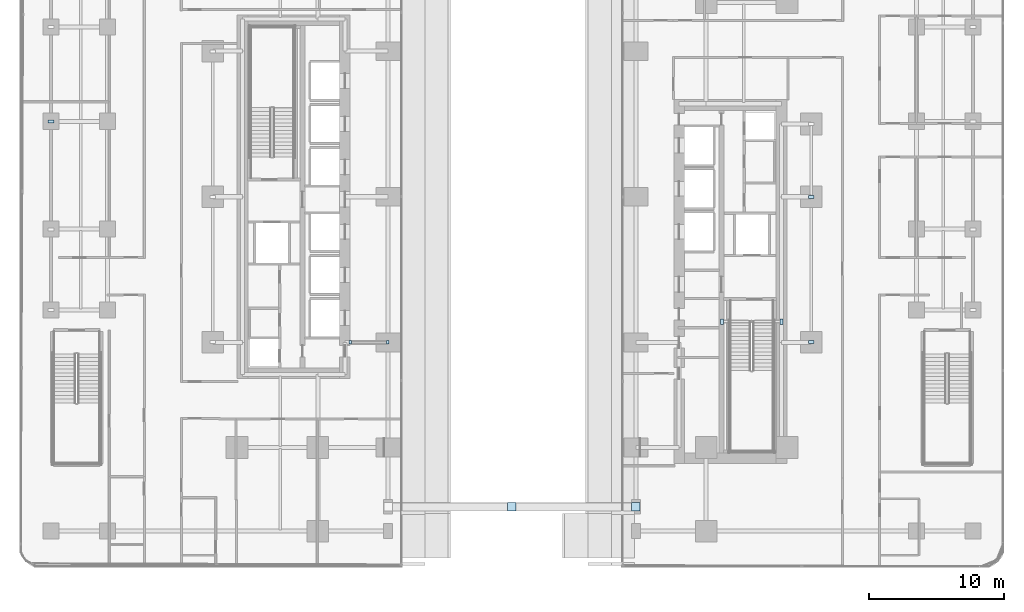
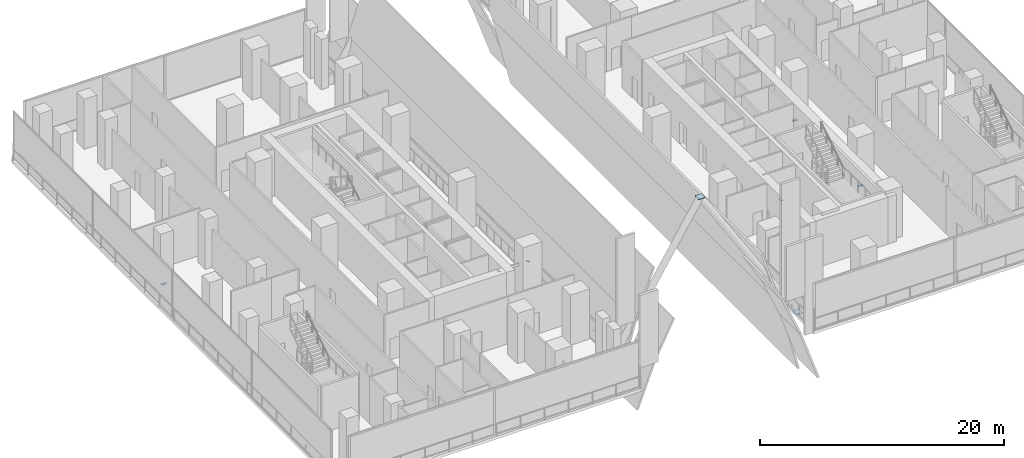
# One storey, part 4 of 31: 9 plates.
"""IFC4 building model written with IfcOpenShell, lengths in metres."""

from ifc_helpers import new_model, si_unit, direction, frame, origin, origin_2d, place, context, subcontext, project, spatial, rectangle, extrude, material, layer, layer_set, type_object, element, save


model = new_model("IFC4")

# Units and contexts
model_context = context("Model", 3, precision=1e-05, world=origin(), true_north=direction((0.0, 1.0)))
body_context = subcontext(model_context, "Body", "Model", "MODEL_VIEW")
ifc_project = project(units=[si_unit("LENGTHUNIT", "METRE"), si_unit("AREAUNIT", "SQUARE_METRE"), si_unit("VOLUMEUNIT", "CUBIC_METRE"), si_unit("PLANEANGLEUNIT", "RADIAN"), si_unit("MASSUNIT", "GRAM", prefix="KILO")], contexts=[model_context])

# Site, building, storey
site_placement = place(None, origin())
site = spatial("IfcSite", under=ifc_project, at=site_placement, CompositionType="ELEMENT")
building_placement = place(site_placement, origin())
building = spatial("IfcBuilding", under=site, at=building_placement, Name="Khairoan Windgate Tower", CompositionType="ELEMENT")
storey_placement = place(building_placement, frame((0.0, 0.0, 6.0)))
storey = spatial("IfcBuildingStorey", under=building, at=storey_placement, Name="L02", CompositionType="ELEMENT", Elevation=6.0)

# Plates
ifc_material = material(Name="Steel S355", Category="steel")
ifc_layer = layer(ifc_material, 0.0400390625, Name="Steel S355")
ifc_layer_set = layer_set([ifc_layer], Name="Steel S355")
plate_type = type_object("IfcPlateType", Name="Hollow Section End-Cap Plate PL-CAP40", PredefinedType="SHEET", material=ifc_layer_set)
for number, where, z_axis, x_axis, name in (
    (1, (-0.0078125, -23.0, 13.517333984375), (0.0, 0.0, 1.0), (1.0, 0.0, 0.0), "ARCH-RIB-S-1 steel end-cap plate 2"),
    (2, (9.192138671875, -23.0, -1.207275390625), (0.0, 0.0, 1.0), (1.0, 0.0, 0.0), "ARCH-RIB-S-2 steel end-cap plate 2"),
):
    element("IfcPlate", number, at=place(storey_placement, frame(where, z_axis=z_axis, x_axis=x_axis)), inside=storey, type_object=plate_type, Name=name, PredefinedType="SHEET", context=body_context, shape_type="SweptSolid", body=[
        extrude(rectangle(XDim=0.6298828125, YDim=0.6298828125, at=origin_2d()), origin(), (0.0, 0.0, 1.0), 0.0400390625),
    ])
for number, where, z_axis, x_axis, name in (
    (3, (-34.199951171875, 5.5849609375, -0.52001953125), (0.0, 0.0, 1.0), (0.0, 1.0, 0.0), "BM-SP-L02-044 steel end-cap plate 2"),
    (4, (22.199951171875, -10.784912109375, -0.52001953125), (0.0, 0.0, 1.0), (0.0, 1.0, 0.0), "BM-SP-L02-084 steel end-cap plate 1"),
    (5, (22.199951171875, -0.014892578125, -0.52001953125), (0.0, 0.0, 1.0), (0.0, 1.0, 0.0), "BM-SP-L02-084 steel end-cap plate 2"),
    (6, (15.56494140625, -9.260009765625, -0.52001953125), (0.0, 0.0, 1.0), (1.0, 0.0, 0.0), "BM-ST1-TRIM-L02 steel end-cap plate 1"),
    (7, (19.985107421875, -9.260009765625, -0.52001953125), (0.0, 0.0, 1.0), (1.0, 0.0, 0.0), "BM-ST1-TRIM-L02 steel end-cap plate 2"),
):
    element("IfcPlate", number, at=place(storey_placement, frame(where, z_axis=z_axis, x_axis=x_axis)), inside=storey, type_object=plate_type, Name=name, PredefinedType="SHEET", context=body_context, shape_type="SweptSolid", body=[
        extrude(rectangle(XDim=0.219970703125, YDim=0.419921875, at=origin_2d()), origin(), (0.0, 0.0, 1.0), 0.0400390625),
    ])
for number, where, z_axis, x_axis, name in (
    (8, (-12.0048828125, -10.800048828125, 2.929931640625), (0.0, 0.0, 1.0), (1.0, 0.0, 0.0), "BM-LINTEL-L02 steel end-cap plate 1"),
    (9, (-9.215087890625, -10.800048828125, 2.929931640625), (0.0, 0.0, 1.0), (1.0, 0.0, 0.0), "BM-LINTEL-L02 steel end-cap plate 2"),
):
    element("IfcPlate", number, at=place(storey_placement, frame(where, z_axis=z_axis, x_axis=x_axis)), inside=storey, type_object=plate_type, Name=name, PredefinedType="SHEET", context=body_context, shape_type="SweptSolid", body=[
        extrude(rectangle(XDim=0.169921875, YDim=0.27001953125, at=origin_2d()), origin(), (0.0, 0.0, 1.0), 0.0400390625),
    ])

save(model, "model.ifc")
